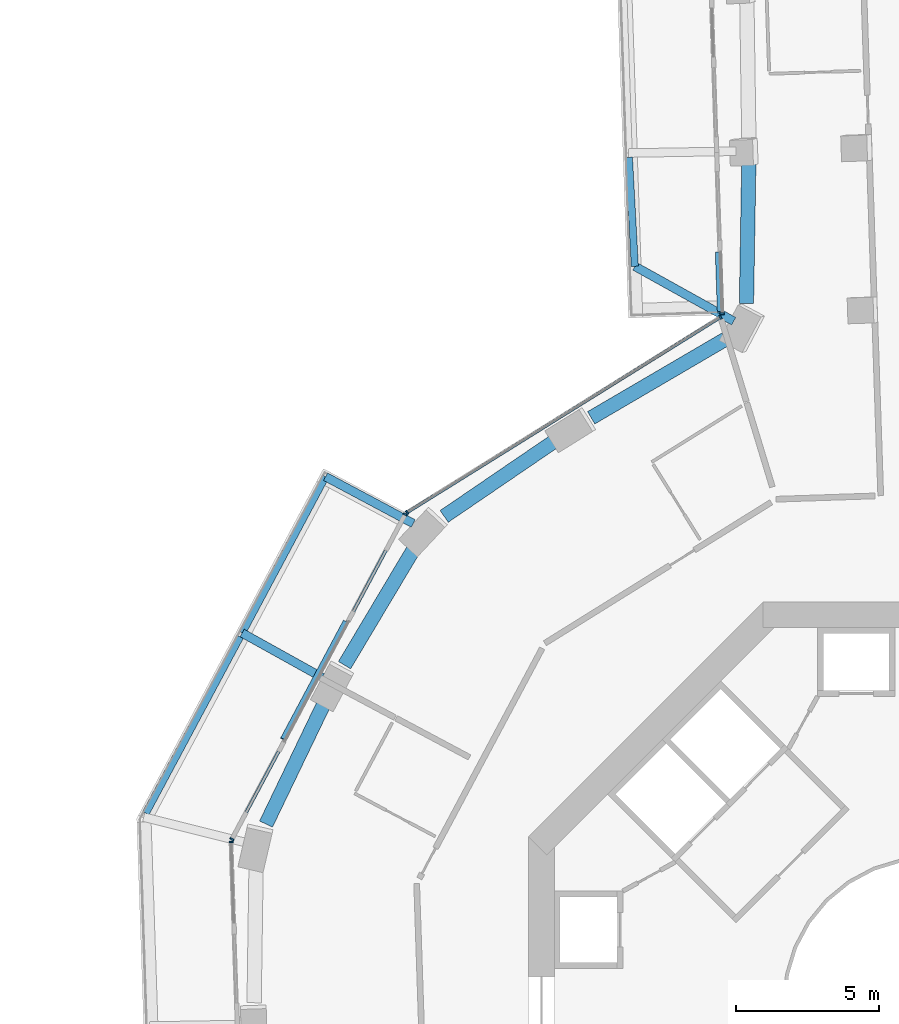
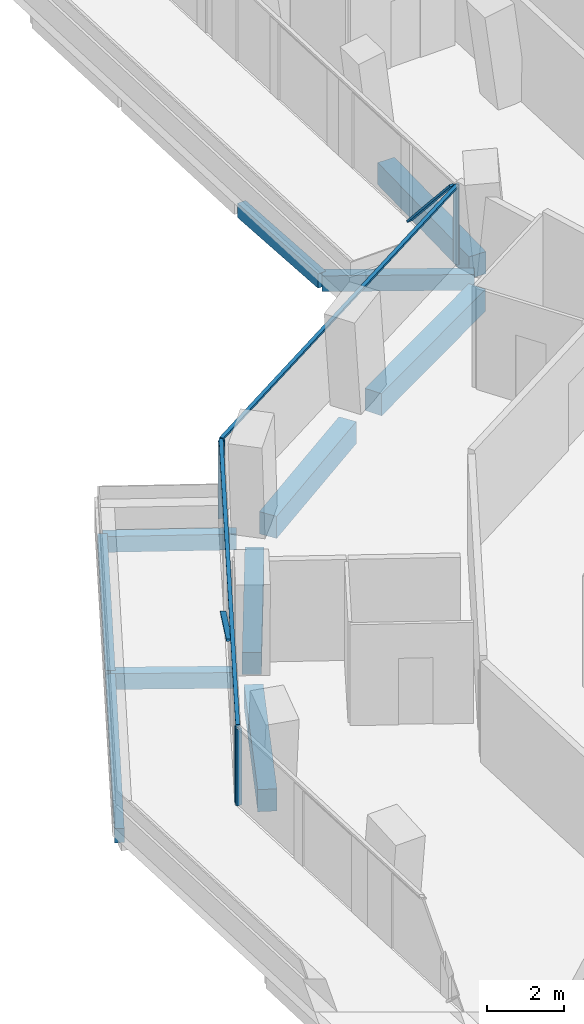
# One storey, part 8 of 27: 11 beams, 10 members, 4 elements without a shape of their own.
"""IFC4 building model written with IfcOpenShell, lengths in metres."""

from ifc_helpers import new_model, si_unit, direction, frame, origin, origin_2d, place, context, subcontext, project, spatial, rectangle, extrude, material, layer, layer_set, material_profile, profile_set, type_object, element, aggregate, save


model = new_model("IFC4")

# Units and contexts
model_context = context("Model", 3, precision=1e-05, world=origin(), true_north=direction((0.0, 1.0)))
body_context = subcontext(model_context, "Body", "Model", "MODEL_VIEW")
ifc_project = project(units=[si_unit("LENGTHUNIT", "METRE"), si_unit("AREAUNIT", "SQUARE_METRE"), si_unit("VOLUMEUNIT", "CUBIC_METRE"), si_unit("PLANEANGLEUNIT", "RADIAN"), si_unit("MASSUNIT", "GRAM", prefix="KILO")], contexts=[model_context])

# Site, building, storey
site_placement = place(None, origin())
site = spatial("IfcSite", under=ifc_project, at=site_placement, CompositionType="ELEMENT")
building_placement = place(site_placement, origin())
building = spatial("IfcBuilding", under=site, at=building_placement, Name="Verdalira Terraces Hotel", CompositionType="ELEMENT")
storey_placement = place(building_placement, frame((0.0, 0.0, 42.5)))
storey = spatial("IfcBuildingStorey", under=building, at=storey_placement, Name="L08", CompositionType="ELEMENT", Elevation=42.5)

# Beams
ifc_material_1 = material(Name="Concrete C40", Category="concrete")
ifc_material_profile_1 = material_profile(ifc_material_1, rectangle(XDim=0.300049, YDim=0.5, at=origin_2d()), Name="RC 300X500")
ifc_profile_set_1 = profile_set([ifc_material_profile_1], Name="Concrete C40")
beam_type_1 = type_object("IfcBeamType", Name="Balcony cantilever beam RC 300X500 C40", PredefinedType="BEAM", material=ifc_profile_set_1)
beam_1_placement = place(storey_placement, frame((-6.832031, 23.809082, -0.560059), z_axis=(-0.874297186, 0.485391008, 0.0), x_axis=(-0.485391008, -0.874297186, 0.0)))
element("IfcBeam", 1, at=beam_1_placement, inside=storey, type_object=beam_type_1, Name="Balcony cantilever beam R10-4", PredefinedType="BEAM", context=body_context, shape_type="SweptSolid", body=[
    extrude(rectangle(XDim=0.300049, YDim=0.5, at=origin_2d()), origin(), (0.0, 0.0, 1.0), 3.949951),
])
beam_2_placement = place(storey_placement, frame((-18.02832, 16.742188, -0.560059), z_axis=(-0.882300374, 0.470686785, 0.0), x_axis=(-0.470686785, -0.882300374, 0.0)))
element("IfcBeam", 2, at=beam_2_placement, inside=storey, type_object=beam_type_1, Name="Balcony cantilever beam R12-3", PredefinedType="BEAM", context=body_context, shape_type="SweptSolid", body=[
    extrude(rectangle(XDim=0.300049, YDim=0.5, at=origin_2d()), origin(), (0.0, 0.0, 1.0), 3.47168),
])
beam_3_placement = place(storey_placement, frame((-21.206055, 11.361816, -0.560059), z_axis=(-0.874279578, 0.485422722, 0.0), x_axis=(-0.485422722, -0.874279578, 0.0)))
element("IfcBeam", 3, at=beam_3_placement, inside=storey, type_object=beam_type_1, Name="Balcony cantilever beam R12-4", PredefinedType="BEAM", context=body_context, shape_type="SweptSolid", body=[
    extrude(rectangle(XDim=0.300049, YDim=0.5, at=origin_2d()), origin(), (0.0, 0.0, 1.0), 3.200684),
])
ifc_material_2 = material(Name="Concrete C40", Category="concrete")
ifc_material_profile_2 = material_profile(ifc_material_2, rectangle(XDim=0.25, YDim=0.449951, at=origin_2d()), Name="RC 250X450")
ifc_profile_set_2 = profile_set([ifc_material_profile_2], Name="Concrete C40")
beam_type_2 = type_object("IfcBeamType", Name="Balcony edge beam RC 250X450 C40", PredefinedType="BEAM", material=ifc_profile_set_2)
beam_4_placement = place(storey_placement, frame((-10.492188, 29.533691, -0.534912), z_axis=(0.054232351, -0.998528343, 0.0), x_axis=(0.998528343, 0.054232351, 0.0)))
element("IfcBeam", 4, at=beam_4_placement, inside=storey, type_object=beam_type_2, Name="Balcony edge beam R10-3", PredefinedType="BEAM", context=body_context, shape_type="SweptSolid", body=[
    extrude(rectangle(XDim=0.25, YDim=0.449951, at=origin_2d()), origin(), (0.0, 0.0, 1.0), 3.812988),
])
beam_5_placement = place(storey_placement, frame((-21.091309, 18.376221, -0.534912), z_axis=(-0.470678319, -0.882304891, 0.0), x_axis=(0.882304891, -0.470678319, 0.0)))
element("IfcBeam", 5, at=beam_5_placement, inside=storey, type_object=beam_type_2, Name="Balcony edge beam R12-2", PredefinedType="BEAM", context=body_context, shape_type="SweptSolid", body=[
    extrude(rectangle(XDim=0.25, YDim=0.449951, at=origin_2d()), origin(), (0.0, 0.0, 1.0), 6.189209),
])
beam_6_placement = place(storey_placement, frame((-24.075195, 12.783203, -0.534912), z_axis=(-0.47142739, -0.881904879, 0.0), x_axis=(0.881904879, -0.47142739, 0.0)))
element("IfcBeam", 6, at=beam_6_placement, inside=storey, type_object=beam_type_2, Name="Balcony edge beam R12-3", PredefinedType="BEAM", context=body_context, shape_type="SweptSolid", body=[
    extrude(rectangle(XDim=0.25, YDim=0.449951, at=origin_2d()), origin(), (0.0, 0.0, 1.0), 6.989746),
])

# Curtain wall, members
ifc_material_3 = material(Name="Clear glass", Category="glass")
ifc_layer_1 = layer(ifc_material_3, 0.14990234375)
ifc_layer_set_1 = layer_set([ifc_layer_1], Name="CW1 curtain wall")
curtain_wall_type_1 = type_object("IfcCurtainWallType", Name="CW1 curtain wall", PredefinedType="NOTDEFINED", material=ifc_layer_set_1)
curtain_wall_1_placement = place(storey_placement, origin())
curtain_wall_1 = element("IfcCurtainWall", 7, at=curtain_wall_1_placement, inside=storey, type_object=curtain_wall_type_1, Name="CW1 curtain wall L08 edge 11", PredefinedType="NOTDEFINED")
ifc_material_4 = material(Name="Terracotta frame", Category="masonry")
ifc_material_profile_3 = material_profile(ifc_material_4, rectangle(XDim=0.060059, YDim=0.149902, at=origin_2d()), Name="MU 60x150")
ifc_profile_set_3 = profile_set([ifc_material_profile_3], Name="Terracotta frame")
member_type_1 = type_object("IfcMemberType", Name="CW1 mullion 60x150", PredefinedType="MULLION", material=ifc_profile_set_3)
member_1_placement = place(storey_placement, frame((-7.294922, 23.94751, 0.0), z_axis=(0.0, 0.0, 1.0), x_axis=(-0.848787176, -0.52873465, 0.0)))
member_1 = element("IfcMember", 8, at=member_1_placement, type_object=member_type_1, Name="CW1 mullion", PredefinedType="MULLION", context=body_context, shape_type="SweptSolid", body=[
    extrude(rectangle(XDim=0.060059, YDim=0.149902, at=origin_2d()), origin(), (0.0, 0.0, 1.0), 2.425049),
])
member_2_placement = place(storey_placement, frame((-18.244141, 17.126953, 0.0), z_axis=(0.0, 0.0, 1.0), x_axis=(-0.848787176, -0.52873465, 0.0)))
member_2 = element("IfcMember", 9, at=member_2_placement, type_object=member_type_1, Name="CW1 mullion", PredefinedType="MULLION", context=body_context, shape_type="SweptSolid", body=[
    extrude(rectangle(XDim=0.060059, YDim=0.149902, at=origin_2d()), origin(), (0.0, 0.0, 1.0), 2.425049),
])

curtain_wall_2_placement = place(storey_placement, origin())
curtain_wall_2 = element("IfcCurtainWall", 10, at=curtain_wall_2_placement, inside=storey, type_object=curtain_wall_type_1, Name="CW1 curtain wall L08 edge 12", PredefinedType="NOTDEFINED")
member_3_placement = place(storey_placement, frame((-18.310303, 17.056152, 0.0), z_axis=(0.0, 0.0, 1.0), x_axis=(-0.470703932, -0.882291226, 0.0)))
member_3 = element("IfcMember", 11, at=member_3_placement, type_object=member_type_1, Name="CW1 mullion", PredefinedType="MULLION", context=body_context, shape_type="SweptSolid", body=[
    extrude(rectangle(XDim=0.060059, YDim=0.149902, at=origin_2d()), origin(), (0.0, 0.0, 1.0), 2.425049),
])
member_4_placement = place(storey_placement, frame((-24.363281, 5.710205, 0.0), z_axis=(0.0, 0.0, 1.0), x_axis=(-0.470703932, -0.882291226, 0.0)))
member_4 = element("IfcMember", 12, at=member_4_placement, type_object=member_type_1, Name="CW1 mullion", PredefinedType="MULLION", context=body_context, shape_type="SweptSolid", body=[
    extrude(rectangle(XDim=0.060059, YDim=0.149902, at=origin_2d()), origin(), (0.0, 0.0, 1.0), 2.425049),
])

# Curtain wall, member
curtain_wall_3_placement = place(storey_placement, origin())
curtain_wall_3 = element("IfcCurtainWall", 13, at=curtain_wall_3_placement, inside=storey, type_object=curtain_wall_type_1, Name="CW1 curtain wall L08 edge 13", PredefinedType="NOTDEFINED")
member_5_placement = place(storey_placement, frame((-24.385254, 5.615967, 0.0), z_axis=(0.0, 0.0, 1.0), x_axis=(0.03350405, -0.999438582, 0.0)))
member_5 = element("IfcMember", 14, at=member_5_placement, type_object=member_type_1, Name="CW1 mullion", PredefinedType="MULLION", context=body_context, shape_type="SweptSolid", body=[
    extrude(rectangle(XDim=0.060059, YDim=0.149902, at=origin_2d()), origin(), (0.0, 0.0, 1.0), 2.425049),
])
aggregate(curtain_wall_3, [member_5])

# Member
ifc_material_5 = material(Name="Terracotta frame", Category="masonry")
ifc_material_profile_4 = material_profile(ifc_material_5, rectangle(XDim=0.110107, YDim=0.064941, at=origin_2d()), Name="TR 65x110")
ifc_profile_set_4 = profile_set([ifc_material_profile_4], Name="Terracotta frame")
member_type_2 = type_object("IfcMemberType", Name="CW1 transom 65x110", PredefinedType="USERDEFINED", material=ifc_profile_set_4)
member_6_placement = place(storey_placement, frame((-7.269531, 23.963379, 2.45752), z_axis=(-0.848784773, -0.528738508, 0.0), x_axis=(0.528738508, -0.848784773, 0.0)))
member_6 = element("IfcMember", 15, at=member_6_placement, type_object=member_type_2, Name="CW1 transom", ObjectType="TRANSOM", PredefinedType="USERDEFINED", context=body_context, shape_type="SweptSolid", body=[
    extrude(rectangle(XDim=0.110107, YDim=0.064941, at=origin_2d()), origin(), (0.0, 0.0, 1.0), 12.959717),
])

aggregate(curtain_wall_1, [member_1, member_2, member_6])

member_7_placement = place(storey_placement, frame((-18.296143, 17.08252, 2.45752), z_axis=(-0.470708872, -0.882288591, 0.0), x_axis=(0.882288591, -0.470708872, 0.0)))
member_7 = element("IfcMember", 16, at=member_7_placement, type_object=member_type_2, Name="CW1 transom", ObjectType="TRANSOM", PredefinedType="USERDEFINED", context=body_context, shape_type="SweptSolid", body=[
    extrude(rectangle(XDim=0.110107, YDim=0.064941, at=origin_2d()), origin(), (0.0, 0.0, 1.0), 12.919434),
])

# Curtain wall, members
ifc_material_6 = material(Name="Clear glass", Category="glass")
ifc_layer_2 = layer(ifc_material_6, 0.14990234375)
ifc_layer_set_2 = layer_set([ifc_layer_2], Name="CW2 curtain wall")
curtain_wall_type_2 = type_object("IfcCurtainWallType", Name="CW2 curtain wall", PredefinedType="NOTDEFINED", material=ifc_layer_set_2)
curtain_wall_4_placement = place(storey_placement, origin())
curtain_wall_4 = element("IfcCurtainWall", 17, at=curtain_wall_4_placement, inside=storey, type_object=curtain_wall_type_2, Name="CW2 curtain wall L08 edge 10", PredefinedType="NOTDEFINED")
ifc_material_7 = material(Name="Terracotta frame", Category="masonry")
ifc_material_profile_5 = material_profile(ifc_material_7, rectangle(XDim=0.070068, YDim=0.149902, at=origin_2d()), Name="MU 70x150")
ifc_profile_set_5 = profile_set([ifc_material_profile_5], Name="Terracotta frame")
member_type_3 = type_object("IfcMemberType", Name="CW2 mullion 70x150", PredefinedType="MULLION", material=ifc_profile_set_5)
member_8_placement = place(storey_placement, frame((-7.235352, 24.064453, 0.0), z_axis=(0.0, 0.0, 1.0), x_axis=(0.03350405, -0.999438582, 0.0)))
member_8 = element("IfcMember", 18, at=member_8_placement, type_object=member_type_3, Name="CW2 mullion", PredefinedType="MULLION", context=body_context, shape_type="SweptSolid", body=[
    extrude(rectangle(XDim=0.070068, YDim=0.149902, at=origin_2d()), origin(), (0.0, 0.0, 1.0), 2.425049),
])
ifc_material_8 = material(Name="Terracotta frame", Category="masonry")
ifc_material_profile_6 = material_profile(ifc_material_8, rectangle(XDim=0.149902, YDim=0.060059, at=origin_2d()), Name="GB 60x150")
ifc_profile_set_6 = profile_set([ifc_material_profile_6], Name="Terracotta frame")
member_type_4 = type_object("IfcMemberType", Name="Diagonal glazing bar 60x150", PredefinedType="USERDEFINED", material=ifc_profile_set_6)
member_9_placement = place(storey_placement, frame((-7.398193, 26.208984, 0.0271), z_axis=(0.022169532, -0.660914676, 0.750133523), x_axis=(0.999437884, 0.033524857, 0.0)))
member_9 = element("IfcMember", 19, at=member_9_placement, type_object=member_type_4, Name="Diagonal glazing bar", ObjectType="GLAZING BAR", PredefinedType="USERDEFINED", context=body_context, shape_type="SweptSolid", body=[
    extrude(rectangle(XDim=0.149902, YDim=0.060059, at=origin_2d()), origin(), (0.0, 0.0, 1.0), 3.160645),
])
aggregate(curtain_wall_4, [member_8, member_9])

# Member
member_10_placement = place(storey_placement, frame((-20.404785, 13.319336, 0.027588), z_axis=(-0.419393506, -0.786123124, 0.454003877), x_axis=(0.882293358, -0.470699937, 0.0)))
member_10 = element("IfcMember", 20, at=member_10_placement, type_object=member_type_4, Name="Diagonal glazing bar", ObjectType="GLAZING BAR", PredefinedType="USERDEFINED", context=body_context, shape_type="SweptSolid", body=[
    extrude(rectangle(XDim=0.149902, YDim=0.060059, at=origin_2d()), origin(), (0.0, 0.0, 1.0), 5.219971),
])

aggregate(curtain_wall_2, [member_3, member_4, member_7, member_10])

# Beams
ifc_material_9 = material(Name="Concrete C70", Category="concrete")
ifc_material_profile_7 = material_profile(ifc_material_9, rectangle(XDim=0.5, YDim=0.699951, at=origin_2d()), Name="RC 500X700")
ifc_profile_set_7 = profile_set([ifc_material_profile_7], Name="Concrete C70")
beam_type_3 = type_object("IfcBeamType", Name="Spandrel beam RC 500X700 C70", PredefinedType="SPANDREL", material=ifc_profile_set_7)
beam_7_placement = place(storey_placement, frame((-6.303711, 29.302979, -0.659912), z_axis=(-0.016732801, -0.999859997, 0.0), x_axis=(0.999859997, -0.016732801, 0.0)))
element("IfcBeam", 21, at=beam_7_placement, inside=storey, type_object=beam_type_3, Name="Spandrel beam B07", PredefinedType="SPANDREL", context=body_context, shape_type="SweptSolid", body=[
    extrude(rectangle(XDim=0.5, YDim=0.699951, at=origin_2d()), origin(), (0.0, 0.0, 1.0), 4.873291),
])
beam_8_placement = place(storey_placement, frame((-7.116699, 23.180908, -0.659912), z_axis=(-0.863019243, -0.505171047, 0.0), x_axis=(0.505171047, -0.863019243, 0.0)))
element("IfcBeam", 22, at=beam_8_placement, inside=storey, type_object=beam_type_3, Name="Spandrel beam B08", PredefinedType="SPANDREL", context=body_context, shape_type="SweptSolid", body=[
    extrude(rectangle(XDim=0.5, YDim=0.699951, at=origin_2d()), origin(), (0.0, 0.0, 1.0), 5.438965),
])
beam_9_placement = place(storey_placement, frame((-13.017822, 19.668701, -0.659912), z_axis=(-0.826070899, -0.563566207, 0.0), x_axis=(0.563566207, -0.826070899, 0.0)))
element("IfcBeam", 23, at=beam_9_placement, inside=storey, type_object=beam_type_3, Name="Spandrel beam B09", PredefinedType="SPANDREL", context=body_context, shape_type="SweptSolid", body=[
    extrude(rectangle(XDim=0.5, YDim=0.699951, at=origin_2d()), origin(), (0.0, 0.0, 1.0), 4.755371),
])
beam_10_placement = place(storey_placement, frame((-17.989502, 15.877441, -0.659912), z_axis=(-0.512427, -0.85873079, 0.0), x_axis=(0.85873079, -0.512427, 0.0)))
element("IfcBeam", 24, at=beam_10_placement, inside=storey, type_object=beam_type_3, Name="Spandrel beam B10", PredefinedType="SPANDREL", context=body_context, shape_type="SweptSolid", body=[
    extrude(rectangle(XDim=0.5, YDim=0.699951, at=origin_2d()), origin(), (0.0, 0.0, 1.0), 4.758789),
])
beam_11_placement = place(storey_placement, frame((-21.108154, 10.524658, -0.659912), z_axis=(-0.433608765, -0.901101237, 0.0), x_axis=(0.901101237, -0.433608765, 0.0)))
element("IfcBeam", 25, at=beam_11_placement, inside=storey, type_object=beam_type_3, Name="Spandrel beam B11", PredefinedType="SPANDREL", context=body_context, shape_type="SweptSolid", body=[
    extrude(rectangle(XDim=0.5, YDim=0.699951, at=origin_2d()), origin(), (0.0, 0.0, 1.0), 4.755371),
])

save(model, "model.ifc")
